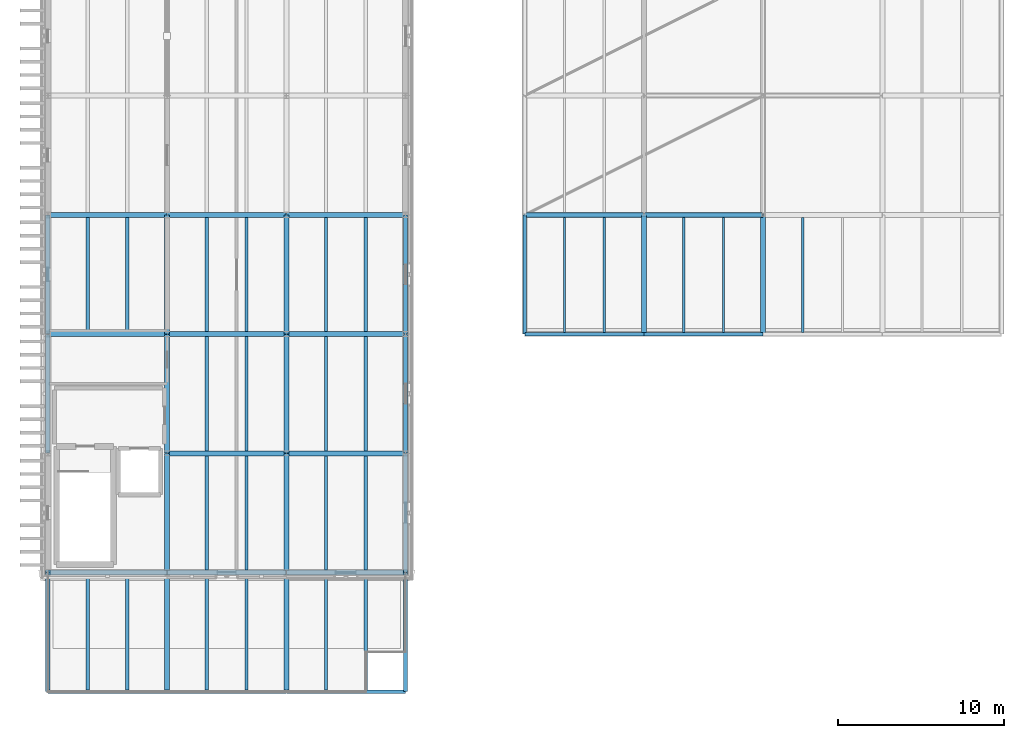
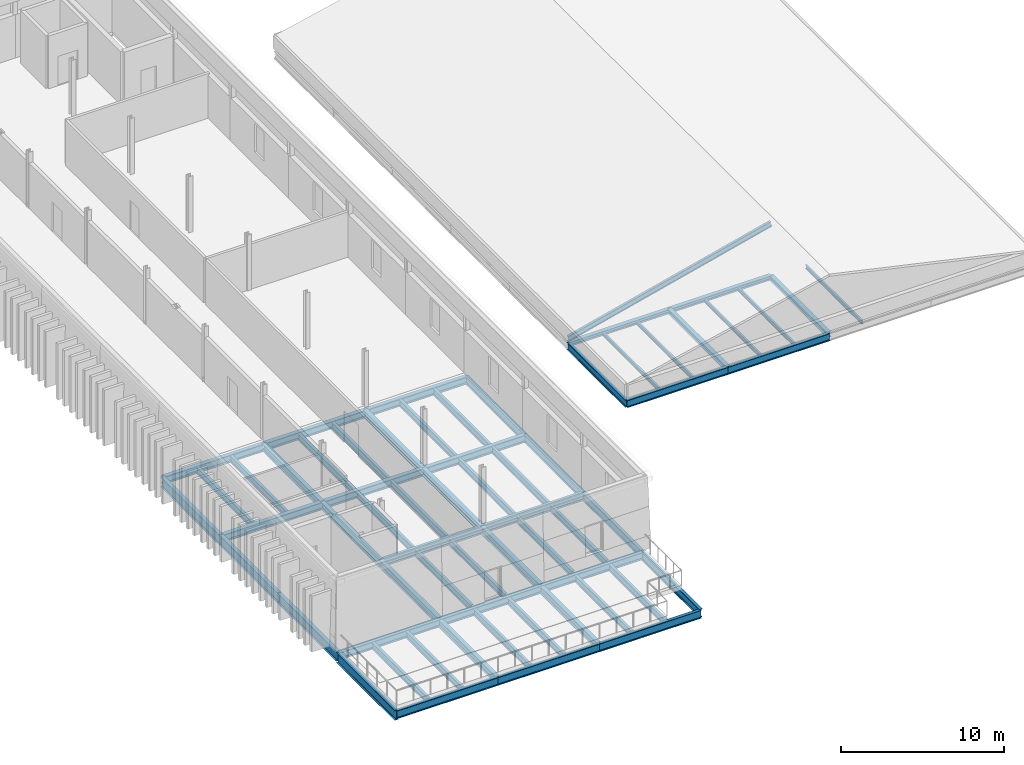
# One storey, part 3 of 44: 62 beams, 1 member.
"""IFC4 building model written with IfcOpenShell, lengths in metres."""

from ifc_helpers import new_model, si_unit, direction, frame, origin, origin_2d, place, context, subcontext, project, spatial, i_section, extrude, material, material_profile, profile_set, type_object, element, save


model = new_model("IFC4")

# Units and contexts
model_context = context("Model", 3, precision=1e-05, world=origin(), true_north=direction((0.0, 1.0)))
body_context = subcontext(model_context, "Body", "Model", "MODEL_VIEW")
ifc_project = project(units=[si_unit("LENGTHUNIT", "METRE"), si_unit("AREAUNIT", "SQUARE_METRE"), si_unit("VOLUMEUNIT", "CUBIC_METRE"), si_unit("PLANEANGLEUNIT", "RADIAN"), si_unit("MASSUNIT", "GRAM", prefix="KILO")], contexts=[model_context])

# Site, building, storey
site_placement = place(None, origin())
site = spatial("IfcSite", under=ifc_project, at=site_placement, CompositionType="ELEMENT")
building_placement = place(site_placement, origin())
building = spatial("IfcBuilding", under=site, at=building_placement, Name="Narikvali Park Central Library", CompositionType="ELEMENT")
storey_placement = place(building_placement, frame((0.0, 0.0, 22.800048828125)))
storey = spatial("IfcBuildingStorey", under=building, at=storey_placement, Name="L05", CompositionType="ELEMENT", Elevation=22.800048828125)

# Beams
ifc_material = material(Name="Steel S355", Category="steel")
ifc_material_profile_1 = material_profile(ifc_material, i_section(OverallWidth=0.135009765625, OverallDepth=0.27001953125, WebThickness=0.006591796875, FlangeThickness=0.01025390625, FilletRadius=0.014892578125, at=origin_2d()), Name="IPE 270")
ifc_profile_set_1 = profile_set([ifc_material_profile_1], Name="Steel S355")
beam_type_1 = type_object("IfcBeamType", Name="Composite Floor Joist IPE270", PredefinedType="JOIST", material=ifc_profile_set_1)
for number, where, z_axis, x_axis, name in (
    (1, (31.199951171875, 57.705078125, -0.375), (0.0, 1.0, 0.0), (-1.0, 0.0, 0.0), "V4 L05 Composite Joist 1"),
    (2, (33.60009765625, 57.705078125, -0.375), (0.0, 1.0, 0.0), (-1.0, 0.0, 0.0), "V4 L05 Composite Joist 2"),
    (3, (38.39990234375, 57.705078125, -0.375), (0.0, 1.0, 0.0), (-1.0, 0.0, 0.0), "V4 L05 Composite Joist 1"),
    (4, (40.800048828125, 57.705078125, -0.375), (0.0, 1.0, 0.0), (-1.0, 0.0, 0.0), "V4 L05 Composite Joist 2"),
    (5, (45.60009765625, 57.705078125, -0.375), (0.0, 1.0, 0.0), (-1.0, 0.0, 0.0), "V4 L05 Composite Joist 1"),
):
    element("IfcBeam", number, at=place(storey_placement, frame(where, z_axis=z_axis, x_axis=x_axis)), inside=storey, type_object=beam_type_1, Name=name, PredefinedType="JOIST", context=body_context, shape_type="SweptSolid", body=[
        extrude(i_section(OverallWidth=0.135009765625, OverallDepth=0.27001953125, WebThickness=0.006591796875, FlangeThickness=0.01025390625, FilletRadius=0.014892578125, at=origin_2d()), origin(), (0.0, 0.0, 1.0), 6.94482421875),
    ])
ifc_material_profile_2 = material_profile(ifc_material, i_section(OverallWidth=0.199951171875, OverallDepth=0.5, WebThickness=0.01025390625, FlangeThickness=0.01611328125, FilletRadius=0.02099609375, at=origin_2d()), Name="IPE 500")
ifc_profile_set_2 = profile_set([ifc_material_profile_2], Name="Steel S355")
beam_type_2 = type_object("IfcBeamType", Name="Composite Floor Joist IPE500", PredefinedType="JOIST", material=ifc_profile_set_2)
for number, where, z_axis, x_axis, name in (
    (6, (2.39990234375, 36.110107421875, -0.590087890625), (0.0, 1.0, 0.0), (-1.0, 0.0, 0.0), "V5 L05 Composite Joist 1"),
    (7, (4.800048828125, 36.110107421875, -0.590087890625), (0.0, 1.0, 0.0), (-1.0, 0.0, 0.0), "V5 L05 Composite Joist 2"),
):
    element("IfcBeam", number, at=place(storey_placement, frame(where, z_axis=z_axis, x_axis=x_axis)), inside=storey, type_object=beam_type_2, Name=name, PredefinedType="JOIST", context=body_context, shape_type="SweptSolid", body=[
        extrude(i_section(OverallWidth=0.199951171875, OverallDepth=0.5, WebThickness=0.01025390625, FlangeThickness=0.01611328125, FilletRadius=0.02099609375, at=origin_2d()), origin(), (0.0, 0.0, 1.0), 6.93994140625),
    ])
for number, where, z_axis, x_axis, name in (
    (8, (2.39990234375, 57.75, -0.510009765625), (0.0, 1.0, 0.0), (-1.0, 0.0, 0.0), "V5 L05 Composite Joist 1"),
    (9, (4.800048828125, 57.75, -0.510009765625), (0.0, 1.0, 0.0), (-1.0, 0.0, 0.0), "V5 L05 Composite Joist 2"),
):
    element("IfcBeam", number, at=place(storey_placement, frame(where, z_axis=z_axis, x_axis=x_axis)), inside=storey, type_object=beam_type_2, Name=name, PredefinedType="JOIST", context=body_context, shape_type="SweptSolid", body=[
        extrude(i_section(OverallWidth=0.199951171875, OverallDepth=0.5, WebThickness=0.01025390625, FlangeThickness=0.01611328125, FilletRadius=0.02099609375, at=origin_2d()), origin(), (0.0, 0.0, 1.0), 6.89990234375),
    ])
for number, where, z_axis, x_axis, name in (
    (10, (9.60009765625, 36.110107421875, -0.590087890625), (0.0, 1.0, 0.0), (-1.0, 0.0, 0.0), "V5 L05 Composite Joist 1"),
    (11, (12.0, 36.110107421875, -0.590087890625), (0.0, 1.0, 0.0), (-1.0, 0.0, 0.0), "V5 L05 Composite Joist 2"),
):
    element("IfcBeam", number, at=place(storey_placement, frame(where, z_axis=z_axis, x_axis=x_axis)), inside=storey, type_object=beam_type_2, Name=name, PredefinedType="JOIST", context=body_context, shape_type="SweptSolid", body=[
        extrude(i_section(OverallWidth=0.199951171875, OverallDepth=0.5, WebThickness=0.01025390625, FlangeThickness=0.01611328125, FilletRadius=0.02099609375, at=origin_2d()), origin(), (0.0, 0.0, 1.0), 6.93994140625),
    ])
for number, where, z_axis, x_axis, name in (
    (12, (9.60009765625, 43.35009765625, -0.510009765625), (0.0, 1.0, 0.0), (-1.0, 0.0, 0.0), "V5 L05 Composite Joist 1"),
    (13, (12.0, 43.35009765625, -0.510009765625), (0.0, 1.0, 0.0), (-1.0, 0.0, 0.0), "V5 L05 Composite Joist 2"),
    (14, (9.60009765625, 50.550048828125, -0.510009765625), (0.0, 1.0, 0.0), (-1.0, 0.0, 0.0), "V5 L05 Composite Joist 1"),
    (15, (12.0, 50.550048828125, -0.510009765625), (0.0, 1.0, 0.0), (-1.0, 0.0, 0.0), "V5 L05 Composite Joist 2"),
    (16, (9.60009765625, 57.75, -0.510009765625), (0.0, 1.0, 0.0), (-1.0, 0.0, 0.0), "V5 L05 Composite Joist 1"),
    (17, (12.0, 57.75, -0.510009765625), (0.0, 1.0, 0.0), (-1.0, 0.0, 0.0), "V5 L05 Composite Joist 2"),
):
    element("IfcBeam", number, at=place(storey_placement, frame(where, z_axis=z_axis, x_axis=x_axis)), inside=storey, type_object=beam_type_2, Name=name, PredefinedType="JOIST", context=body_context, shape_type="SweptSolid", body=[
        extrude(i_section(OverallWidth=0.199951171875, OverallDepth=0.5, WebThickness=0.01025390625, FlangeThickness=0.01611328125, FilletRadius=0.02099609375, at=origin_2d()), origin(), (0.0, 0.0, 1.0), 6.89990234375),
    ])
for number, where, z_axis, x_axis, name in (
    (18, (16.800048828125, 36.110107421875, -0.590087890625), (0.0, 1.0, 0.0), (-1.0, 0.0, 0.0), "V5 L05 Composite Joist 1"),
    (19, (19.199951171875, 36.110107421875, -0.590087890625), (0.0, 1.0, 0.0), (-1.0, 0.0, 0.0), "V5 L05 Composite Joist 2"),
):
    element("IfcBeam", number, at=place(storey_placement, frame(where, z_axis=z_axis, x_axis=x_axis)), inside=storey, type_object=beam_type_2, Name=name, PredefinedType="JOIST", context=body_context, shape_type="SweptSolid", body=[
        extrude(i_section(OverallWidth=0.199951171875, OverallDepth=0.5, WebThickness=0.01025390625, FlangeThickness=0.01611328125, FilletRadius=0.02099609375, at=origin_2d()), origin(), (0.0, 0.0, 1.0), 6.93994140625),
    ])
for number, where, z_axis, x_axis, name in (
    (20, (16.800048828125, 43.35009765625, -0.510009765625), (0.0, 1.0, 0.0), (-1.0, 0.0, 0.0), "V5 L05 Composite Joist 1"),
    (21, (19.199951171875, 43.35009765625, -0.510009765625), (0.0, 1.0, 0.0), (-1.0, 0.0, 0.0), "V5 L05 Composite Joist 2"),
    (22, (16.800048828125, 50.550048828125, -0.510009765625), (0.0, 1.0, 0.0), (-1.0, 0.0, 0.0), "V5 L05 Composite Joist 1"),
    (23, (19.199951171875, 50.550048828125, -0.510009765625), (0.0, 1.0, 0.0), (-1.0, 0.0, 0.0), "V5 L05 Composite Joist 2"),
    (24, (16.800048828125, 57.75, -0.510009765625), (0.0, 1.0, 0.0), (-1.0, 0.0, 0.0), "V5 L05 Composite Joist 1"),
    (25, (19.199951171875, 57.75, -0.510009765625), (0.0, 1.0, 0.0), (-1.0, 0.0, 0.0), "V5 L05 Composite Joist 2"),
):
    element("IfcBeam", number, at=place(storey_placement, frame(where, z_axis=z_axis, x_axis=x_axis)), inside=storey, type_object=beam_type_2, Name=name, PredefinedType="JOIST", context=body_context, shape_type="SweptSolid", body=[
        extrude(i_section(OverallWidth=0.199951171875, OverallDepth=0.5, WebThickness=0.01025390625, FlangeThickness=0.01611328125, FilletRadius=0.02099609375, at=origin_2d()), origin(), (0.0, 0.0, 1.0), 6.89990234375),
    ])
ifc_material_profile_3 = material_profile(ifc_material, i_section(OverallWidth=0.264892578125, OverallDepth=0.7529296875, WebThickness=0.01318359375, FlangeThickness=0.01708984375, FilletRadius=0.01708984375, at=origin_2d()), Name="IPE 750x147")
ifc_profile_set_3 = profile_set([ifc_material_profile_3], Name="Steel S355")
beam_type_3 = type_object("IfcBeamType", Name="Fin Facade Spandrel IPE750", PredefinedType="SPANDREL", material=ifc_profile_set_3)
beam_1_placement = place(storey_placement, frame((0.0, 36.008056640625, -0.716552734375), z_axis=(0.0, 1.0, 0.0), x_axis=(-1.0, 0.0, 0.0)))
element("IfcBeam", 26, at=beam_1_placement, inside=storey, type_object=beam_type_3, Name="V5 L05 Girder Y", PredefinedType="SPANDREL", context=body_context, shape_type="SweptSolid", body=[
    extrude(i_section(OverallWidth=0.264892578125, OverallDepth=0.7529296875, WebThickness=0.01318359375, FlangeThickness=0.01708984375, FilletRadius=0.01708984375, at=origin_2d()), origin(), (0.0, 0.0, 1.0), 7.183837890625),
])
for number, where, z_axis, x_axis, name in (
    (27, (0.0, 43.2080078125, -0.636474609375), (0.0, 1.0, 0.0), (-1.0, 0.0, 0.0), "V5 L05 Girder Y"),
    (28, (0.0, 50.407958984375, -0.636474609375), (0.0, 1.0, 0.0), (-1.0, 0.0, 0.0), "V5 L05 Girder Y"),
    (29, (0.0, 57.60791015625, -0.636474609375), (0.0, 1.0, 0.0), (-1.0, 0.0, 0.0), "V5 L05 Girder Y"),
):
    element("IfcBeam", number, at=place(storey_placement, frame(where, z_axis=z_axis, x_axis=x_axis)), inside=storey, type_object=beam_type_3, Name=name, PredefinedType="SPANDREL", context=body_context, shape_type="SweptSolid", body=[
        extrude(i_section(OverallWidth=0.264892578125, OverallDepth=0.7529296875, WebThickness=0.01318359375, FlangeThickness=0.01708984375, FilletRadius=0.01708984375, at=origin_2d()), origin(), (0.0, 0.0, 1.0), 7.18408203125),
    ])

# Member
ifc_material_profile_4 = material_profile(ifc_material, i_section(OverallWidth=0.179931640625, OverallDepth=0.39990234375, WebThickness=0.008544921875, FlangeThickness=0.013427734375, FilletRadius=0.02099609375, at=origin_2d()), Name="IPE 400")
ifc_profile_set_4 = profile_set([ifc_material_profile_4], Name="Steel S355")
member_type = type_object("IfcMemberType", Name="Long-Span Pavilion Rafter IPE400", PredefinedType="RAFTER", material=ifc_profile_set_4)
member_placement = place(storey_placement, frame((28.800048828125, 64.800048828125, 0.0), z_axis=(0.97014443519, 0.0, 0.242527884726), x_axis=(0.0, 1.0, 0.0)))
element("IfcMember", 30, at=member_placement, inside=storey, type_object=member_type, Name="V4 Roof Rafter W 1", PredefinedType="RAFTER", context=body_context, shape_type="SweptSolid", body=[
    extrude(i_section(OverallWidth=0.179931640625, OverallDepth=0.39990234375, WebThickness=0.008544921875, FlangeThickness=0.013427734375, FilletRadius=0.02099609375, at=origin_2d()), origin(), (0.0, 0.0, 1.0), 14.843017578125),
])

# Beams
ifc_material_profile_5 = material_profile(ifc_material, i_section(OverallWidth=0.2099609375, OverallDepth=0.550048828125, WebThickness=0.010986328125, FlangeThickness=0.01708984375, FilletRadius=0.02392578125, at=origin_2d()), Name="IPE 550")
ifc_profile_set_5 = profile_set([ifc_material_profile_5], Name="Steel S355")
beam_type_4 = type_object("IfcBeamType", Name="Perimeter Spandrel IPE550", PredefinedType="SPANDREL", material=ifc_profile_set_5)
for number, where, z_axis, x_axis, name in (
    (31, (28.80810546875, 57.60009765625, -0.51513671875), (1.0, 0.0, 0.0), (0.0, 1.0, 0.0), "V4 L05 Girder X"),
    (32, (36.008056640625, 57.60009765625, -0.51513671875), (1.0, 0.0, 0.0), (0.0, 1.0, 0.0), "V4 L05 Girder X"),
):
    element("IfcBeam", number, at=place(storey_placement, frame(where, z_axis=z_axis, x_axis=x_axis)), inside=storey, type_object=beam_type_4, Name=name, PredefinedType="SPANDREL", context=body_context, shape_type="SweptSolid", body=[
        extrude(i_section(OverallWidth=0.2099609375, OverallDepth=0.550048828125, WebThickness=0.010986328125, FlangeThickness=0.01708984375, FilletRadius=0.02392578125, at=origin_2d()), origin(), (0.0, 0.0, 1.0), 7.183837890625),
    ])
beam_2_placement = place(storey_placement, frame((28.800048828125, 57.60791015625, -0.51513671875), z_axis=(0.0, 1.0, 0.0), x_axis=(-1.0, 0.0, 0.0)))
element("IfcBeam", 33, at=beam_2_placement, inside=storey, type_object=beam_type_4, Name="V4 L05 Girder Y", PredefinedType="SPANDREL", context=body_context, shape_type="SweptSolid", body=[
    extrude(i_section(OverallWidth=0.2099609375, OverallDepth=0.550048828125, WebThickness=0.010986328125, FlangeThickness=0.01708984375, FilletRadius=0.02392578125, at=origin_2d()), origin(), (0.0, 0.0, 1.0), 7.18408203125),
])
ifc_material_profile_6 = material_profile(ifc_material, i_section(OverallWidth=0.219970703125, OverallDepth=0.60009765625, WebThickness=0.011962890625, FlangeThickness=0.01904296875, FilletRadius=0.02392578125, at=origin_2d()), Name="IPE 600")
ifc_profile_set_6 = profile_set([ifc_material_profile_6], Name="Steel S355")
beam_type_5 = type_object("IfcBeamType", Name="Perimeter Spandrel IPE600", PredefinedType="SPANDREL", material=ifc_profile_set_6)
beam_3_placement = place(storey_placement, frame((0.008056640625, 36.0, -0.64013671875), z_axis=(1.0, 0.0, 0.0), x_axis=(0.0, 1.0, 0.0)))
element("IfcBeam", 34, at=beam_3_placement, inside=storey, type_object=beam_type_5, Name="V5 L05 Girder X", PredefinedType="SPANDREL", context=body_context, shape_type="SweptSolid", body=[
    extrude(i_section(OverallWidth=0.219970703125, OverallDepth=0.60009765625, WebThickness=0.011962890625, FlangeThickness=0.01904296875, FilletRadius=0.02392578125, at=origin_2d()), origin(), (0.0, 0.0, 1.0), 7.183837890625),
])
for number, where, z_axis, x_axis, name in (
    (35, (7.2080078125, 36.0, -0.64013671875), (1.0, 0.0, 0.0), (0.0, 1.0, 0.0), "V5 L05 Girder X"),
    (36, (14.407958984375, 36.0, -0.64013671875), (1.0, 0.0, 0.0), (0.0, 1.0, 0.0), "V5 L05 Girder X"),
):
    element("IfcBeam", number, at=place(storey_placement, frame(where, z_axis=z_axis, x_axis=x_axis)), inside=storey, type_object=beam_type_5, Name=name, PredefinedType="SPANDREL", context=body_context, shape_type="SweptSolid", body=[
        extrude(i_section(OverallWidth=0.219970703125, OverallDepth=0.60009765625, WebThickness=0.011962890625, FlangeThickness=0.01904296875, FilletRadius=0.02392578125, at=origin_2d()), origin(), (0.0, 0.0, 1.0), 7.18408203125),
    ])
beam_4_placement = place(storey_placement, frame((21.60009765625, 36.008056640625, -0.64013671875), z_axis=(0.0, 1.0, 0.0), x_axis=(-1.0, 0.0, 0.0)))
element("IfcBeam", 37, at=beam_4_placement, inside=storey, type_object=beam_type_5, Name="V5 L05 Girder Y", PredefinedType="SPANDREL", context=body_context, shape_type="SweptSolid", body=[
    extrude(i_section(OverallWidth=0.219970703125, OverallDepth=0.60009765625, WebThickness=0.011962890625, FlangeThickness=0.01904296875, FilletRadius=0.02392578125, at=origin_2d()), origin(), (0.0, 0.0, 1.0), 7.183837890625),
])
for number, where, z_axis, x_axis, name in (
    (38, (21.60009765625, 43.2080078125, -0.56005859375), (0.0, 1.0, 0.0), (-1.0, 0.0, 0.0), "V5 L05 Girder Y"),
    (39, (21.60009765625, 50.407958984375, -0.56005859375), (0.0, 1.0, 0.0), (-1.0, 0.0, 0.0), "V5 L05 Girder Y"),
    (40, (21.60009765625, 57.60791015625, -0.56005859375), (0.0, 1.0, 0.0), (-1.0, 0.0, 0.0), "V5 L05 Girder Y"),
):
    element("IfcBeam", number, at=place(storey_placement, frame(where, z_axis=z_axis, x_axis=x_axis)), inside=storey, type_object=beam_type_5, Name=name, PredefinedType="SPANDREL", context=body_context, shape_type="SweptSolid", body=[
        extrude(i_section(OverallWidth=0.219970703125, OverallDepth=0.60009765625, WebThickness=0.011962890625, FlangeThickness=0.01904296875, FilletRadius=0.02392578125, at=origin_2d()), origin(), (0.0, 0.0, 1.0), 7.18408203125),
    ])
ifc_material_profile_7 = material_profile(ifc_material, i_section(OverallWidth=0.300048828125, OverallDepth=0.31005859375, WebThickness=0.009033203125, FlangeThickness=0.015380859375, FilletRadius=0.027099609375, at=origin_2d()), Name="HEA 320")
ifc_profile_set_7 = profile_set([ifc_material_profile_7], Name="Steel S355")
beam_type_6 = type_object("IfcBeamType", Name="Primary Girder HEA320", PredefinedType="BEAM", material=ifc_profile_set_7)
for number, where, z_axis, x_axis, name in (
    (41, (28.80810546875, 64.800048828125, -0.39501953125), (1.0, 0.0, 0.0), (0.0, 1.0, 0.0), "V4 L05 Girder X"),
    (42, (36.008056640625, 64.800048828125, -0.39501953125), (1.0, 0.0, 0.0), (0.0, 1.0, 0.0), "V4 L05 Girder X"),
):
    element("IfcBeam", number, at=place(storey_placement, frame(where, z_axis=z_axis, x_axis=x_axis)), inside=storey, type_object=beam_type_6, Name=name, PredefinedType="BEAM", context=body_context, shape_type="SweptSolid", body=[
        extrude(i_section(OverallWidth=0.300048828125, OverallDepth=0.31005859375, WebThickness=0.009033203125, FlangeThickness=0.015380859375, FilletRadius=0.027099609375, at=origin_2d()), origin(), (0.0, 0.0, 1.0), 7.183837890625),
    ])
ifc_material_profile_8 = material_profile(ifc_material, i_section(OverallWidth=0.300048828125, OverallDepth=0.35009765625, WebThickness=0.010009765625, FlangeThickness=0.017578125, FilletRadius=0.027099609375, at=origin_2d()), Name="HEA 360")
ifc_profile_set_8 = profile_set([ifc_material_profile_8], Name="Steel S355")
beam_type_7 = type_object("IfcBeamType", Name="Primary Girder HEA360", PredefinedType="BEAM", material=ifc_profile_set_8)
for number, where, z_axis, x_axis, name in (
    (43, (36.0, 57.60791015625, -0.4150390625), (0.0, 1.0, 0.0), (-1.0, 0.0, 0.0), "V4 L05 Girder Y"),
    (44, (43.199951171875, 57.60791015625, -0.4150390625), (0.0, 1.0, 0.0), (-1.0, 0.0, 0.0), "V4 L05 Girder Y"),
):
    element("IfcBeam", number, at=place(storey_placement, frame(where, z_axis=z_axis, x_axis=x_axis)), inside=storey, type_object=beam_type_7, Name=name, PredefinedType="BEAM", context=body_context, shape_type="SweptSolid", body=[
        extrude(i_section(OverallWidth=0.300048828125, OverallDepth=0.35009765625, WebThickness=0.010009765625, FlangeThickness=0.017578125, FilletRadius=0.027099609375, at=origin_2d()), origin(), (0.0, 0.0, 1.0), 7.18408203125),
    ])
ifc_material_profile_9 = material_profile(ifc_material, i_section(OverallWidth=0.300048828125, OverallDepth=0.5400390625, WebThickness=0.012451171875, FlangeThickness=0.02392578125, FilletRadius=0.027099609375, at=origin_2d()), Name="HEA 550")
ifc_profile_set_9 = profile_set([ifc_material_profile_9], Name="Steel S355")
beam_type_8 = type_object("IfcBeamType", Name="Primary Girder HEA550", PredefinedType="BEAM", material=ifc_profile_set_9)
beam_5_placement = place(storey_placement, frame((7.199951171875, 36.008056640625, -0.610107421875), z_axis=(0.0, 1.0, 0.0), x_axis=(-1.0, 0.0, 0.0)))
element("IfcBeam", 45, at=beam_5_placement, inside=storey, type_object=beam_type_8, Name="V5 L05 Girder Y", PredefinedType="BEAM", context=body_context, shape_type="SweptSolid", body=[
    extrude(i_section(OverallWidth=0.300048828125, OverallDepth=0.5400390625, WebThickness=0.012451171875, FlangeThickness=0.02392578125, FilletRadius=0.027099609375, at=origin_2d()), origin(), (0.0, 0.0, 1.0), 7.183837890625),
])
for number, where, z_axis, x_axis, name in (
    (46, (7.199951171875, 43.2080078125, -0.530029296875), (0.0, 1.0, 0.0), (-1.0, 0.0, 0.0), "V5 L05 Girder Y"),
    (47, (7.199951171875, 50.407958984375, -0.530029296875), (0.0, 1.0, 0.0), (-1.0, 0.0, 0.0), "V5 L05 Girder Y"),
    (48, (7.199951171875, 57.60791015625, -0.530029296875), (0.0, 1.0, 0.0), (-1.0, 0.0, 0.0), "V5 L05 Girder Y"),
):
    element("IfcBeam", number, at=place(storey_placement, frame(where, z_axis=z_axis, x_axis=x_axis)), inside=storey, type_object=beam_type_8, Name=name, PredefinedType="BEAM", context=body_context, shape_type="SweptSolid", body=[
        extrude(i_section(OverallWidth=0.300048828125, OverallDepth=0.5400390625, WebThickness=0.012451171875, FlangeThickness=0.02392578125, FilletRadius=0.027099609375, at=origin_2d()), origin(), (0.0, 0.0, 1.0), 7.18408203125),
    ])
beam_6_placement = place(storey_placement, frame((14.39990234375, 36.008056640625, -0.610107421875), z_axis=(0.0, 1.0, 0.0), x_axis=(-1.0, 0.0, 0.0)))
element("IfcBeam", 49, at=beam_6_placement, inside=storey, type_object=beam_type_8, Name="V5 L05 Girder Y", PredefinedType="BEAM", context=body_context, shape_type="SweptSolid", body=[
    extrude(i_section(OverallWidth=0.300048828125, OverallDepth=0.5400390625, WebThickness=0.012451171875, FlangeThickness=0.02392578125, FilletRadius=0.027099609375, at=origin_2d()), origin(), (0.0, 0.0, 1.0), 7.183837890625),
])
for number, where, z_axis, x_axis, name in (
    (50, (14.39990234375, 43.2080078125, -0.530029296875), (0.0, 1.0, 0.0), (-1.0, 0.0, 0.0), "V5 L05 Girder Y"),
    (51, (14.39990234375, 50.407958984375, -0.530029296875), (0.0, 1.0, 0.0), (-1.0, 0.0, 0.0), "V5 L05 Girder Y"),
    (52, (14.39990234375, 57.60791015625, -0.530029296875), (0.0, 1.0, 0.0), (-1.0, 0.0, 0.0), "V5 L05 Girder Y"),
):
    element("IfcBeam", number, at=place(storey_placement, frame(where, z_axis=z_axis, x_axis=x_axis)), inside=storey, type_object=beam_type_8, Name=name, PredefinedType="BEAM", context=body_context, shape_type="SweptSolid", body=[
        extrude(i_section(OverallWidth=0.300048828125, OverallDepth=0.5400390625, WebThickness=0.012451171875, FlangeThickness=0.02392578125, FilletRadius=0.027099609375, at=origin_2d()), origin(), (0.0, 0.0, 1.0), 7.18408203125),
    ])
ifc_material_profile_10 = material_profile(ifc_material, i_section(OverallWidth=0.300048828125, OverallDepth=0.550048828125, WebThickness=0.014892578125, FlangeThickness=0.029052734375, FilletRadius=0.027099609375, at=origin_2d()), Name="HEB 550")
ifc_profile_set_10 = profile_set([ifc_material_profile_10], Name="Steel S355")
beam_type_9 = type_object("IfcBeamType", Name="Primary Stack Girder HEB550", PredefinedType="BEAM", material=ifc_profile_set_10)
beam_7_placement = place(storey_placement, frame((0.008056640625, 43.199951171875, -0.614990234375), z_axis=(1.0, 0.0, 0.0), x_axis=(0.0, 1.0, 0.0)))
element("IfcBeam", 53, at=beam_7_placement, inside=storey, type_object=beam_type_9, Name="V5 L05 Girder X", PredefinedType="BEAM", context=body_context, shape_type="SweptSolid", body=[
    extrude(i_section(OverallWidth=0.300048828125, OverallDepth=0.550048828125, WebThickness=0.014892578125, FlangeThickness=0.029052734375, FilletRadius=0.027099609375, at=origin_2d()), origin(), (0.0, 0.0, 1.0), 7.183837890625),
])
for number, where, z_axis, x_axis, name in (
    (54, (7.2080078125, 43.199951171875, -0.614990234375), (1.0, 0.0, 0.0), (0.0, 1.0, 0.0), "V5 L05 Girder X"),
    (55, (14.407958984375, 43.199951171875, -0.614990234375), (1.0, 0.0, 0.0), (0.0, 1.0, 0.0), "V5 L05 Girder X"),
    (56, (7.2080078125, 50.39990234375, -0.53515625), (1.0, 0.0, 0.0), (0.0, 1.0, 0.0), "V5 L05 Girder X"),
    (57, (14.407958984375, 50.39990234375, -0.53515625), (1.0, 0.0, 0.0), (0.0, 1.0, 0.0), "V5 L05 Girder X"),
):
    element("IfcBeam", number, at=place(storey_placement, frame(where, z_axis=z_axis, x_axis=x_axis)), inside=storey, type_object=beam_type_9, Name=name, PredefinedType="BEAM", context=body_context, shape_type="SweptSolid", body=[
        extrude(i_section(OverallWidth=0.300048828125, OverallDepth=0.550048828125, WebThickness=0.014892578125, FlangeThickness=0.029052734375, FilletRadius=0.027099609375, at=origin_2d()), origin(), (0.0, 0.0, 1.0), 7.18408203125),
    ])
beam_8_placement = place(storey_placement, frame((0.008056640625, 57.60009765625, -0.53515625), z_axis=(1.0, 0.0, 0.0), x_axis=(0.0, 1.0, 0.0)))
element("IfcBeam", 58, at=beam_8_placement, inside=storey, type_object=beam_type_9, Name="V5 L05 Girder X", PredefinedType="BEAM", context=body_context, shape_type="SweptSolid", body=[
    extrude(i_section(OverallWidth=0.300048828125, OverallDepth=0.550048828125, WebThickness=0.014892578125, FlangeThickness=0.029052734375, FilletRadius=0.027099609375, at=origin_2d()), origin(), (0.0, 0.0, 1.0), 7.183837890625),
])
for number, where, z_axis, x_axis, name in (
    (59, (7.2080078125, 57.60009765625, -0.53515625), (1.0, 0.0, 0.0), (0.0, 1.0, 0.0), "V5 L05 Girder X"),
    (60, (14.407958984375, 57.60009765625, -0.53515625), (1.0, 0.0, 0.0), (0.0, 1.0, 0.0), "V5 L05 Girder X"),
):
    element("IfcBeam", number, at=place(storey_placement, frame(where, z_axis=z_axis, x_axis=x_axis)), inside=storey, type_object=beam_type_9, Name=name, PredefinedType="BEAM", context=body_context, shape_type="SweptSolid", body=[
        extrude(i_section(OverallWidth=0.300048828125, OverallDepth=0.550048828125, WebThickness=0.014892578125, FlangeThickness=0.029052734375, FilletRadius=0.027099609375, at=origin_2d()), origin(), (0.0, 0.0, 1.0), 7.18408203125),
    ])
beam_9_placement = place(storey_placement, frame((0.008056640625, 64.800048828125, -0.53515625), z_axis=(1.0, 0.0, 0.0), x_axis=(0.0, 1.0, 0.0)))
element("IfcBeam", 61, at=beam_9_placement, inside=storey, type_object=beam_type_9, Name="V5 L05 Girder X", PredefinedType="BEAM", context=body_context, shape_type="SweptSolid", body=[
    extrude(i_section(OverallWidth=0.300048828125, OverallDepth=0.550048828125, WebThickness=0.014892578125, FlangeThickness=0.029052734375, FilletRadius=0.027099609375, at=origin_2d()), origin(), (0.0, 0.0, 1.0), 7.183837890625),
])
for number, where, z_axis, x_axis, name in (
    (62, (7.2080078125, 64.800048828125, -0.53515625), (1.0, 0.0, 0.0), (0.0, 1.0, 0.0), "V5 L05 Girder X"),
    (63, (14.407958984375, 64.800048828125, -0.53515625), (1.0, 0.0, 0.0), (0.0, 1.0, 0.0), "V5 L05 Girder X"),
):
    element("IfcBeam", number, at=place(storey_placement, frame(where, z_axis=z_axis, x_axis=x_axis)), inside=storey, type_object=beam_type_9, Name=name, PredefinedType="BEAM", context=body_context, shape_type="SweptSolid", body=[
        extrude(i_section(OverallWidth=0.300048828125, OverallDepth=0.550048828125, WebThickness=0.014892578125, FlangeThickness=0.029052734375, FilletRadius=0.027099609375, at=origin_2d()), origin(), (0.0, 0.0, 1.0), 7.18408203125),
    ])

save(model, "model.ifc")
